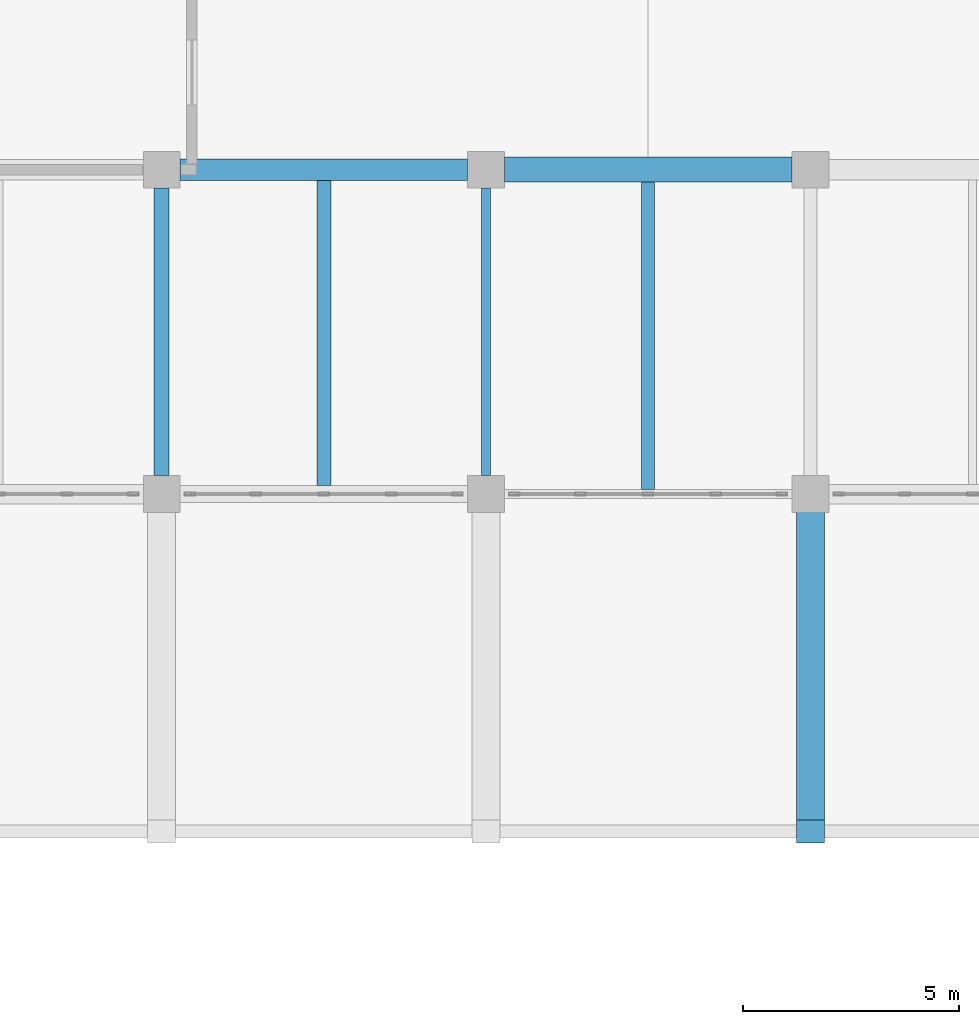
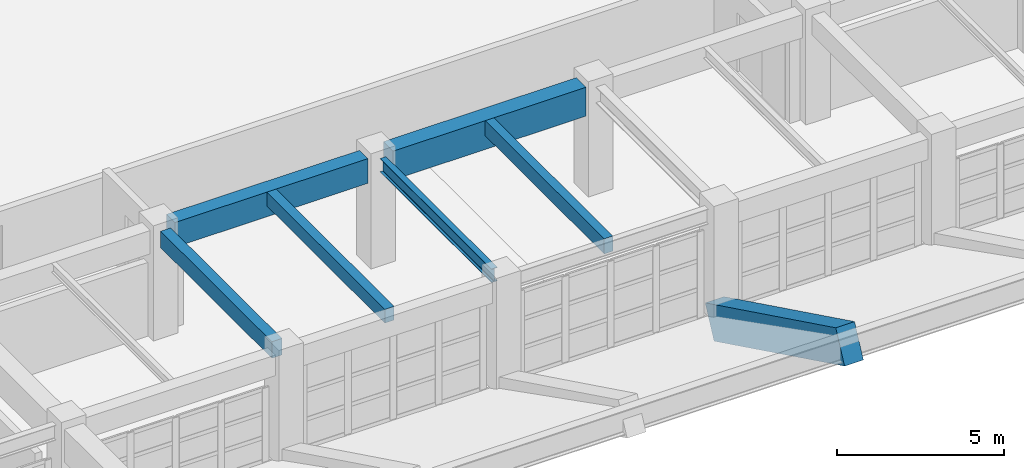
# One storey, part 31 of 132: 7 beams.
"""IFC4 building model written with IfcOpenShell, lengths in metres."""

from ifc_helpers import new_model, si_unit, direction, frame, origin, origin_2d, place, context, subcontext, project, spatial, rectangle, i_section, extrude, material, material_profile, profile_set, type_object, element, save


model = new_model("IFC4")

# Units and contexts
model_context = context("Model", 3, precision=1e-05, world=origin(), true_north=direction((0.0, 1.0)))
body_context = subcontext(model_context, "Body", "Model", "MODEL_VIEW")
ifc_project = project(units=[si_unit("LENGTHUNIT", "METRE"), si_unit("AREAUNIT", "SQUARE_METRE"), si_unit("VOLUMEUNIT", "CUBIC_METRE"), si_unit("PLANEANGLEUNIT", "RADIAN"), si_unit("MASSUNIT", "GRAM", prefix="KILO")], contexts=[model_context])

# Site, building, storey
site_placement = place(None, origin())
site = spatial("IfcSite", under=ifc_project, at=site_placement, CompositionType="ELEMENT")
building_placement = place(site_placement, origin())
building = spatial("IfcBuilding", under=site, at=building_placement, Name="Qasida Concert Hall", CompositionType="ELEMENT")
storey_placement = place(building_placement, frame((0.0, 0.0, 4.800048828125)))
storey = spatial("IfcBuildingStorey", under=building, at=storey_placement, Name="L01", CompositionType="ELEMENT", Elevation=4.800048828125)

# Beams
ifc_material_1 = material(Name="Concrete C40/50", Category="concrete")
ifc_material_profile_1 = material_profile(ifc_material_1, rectangle(XDim=0.35009765625, YDim=0.60009765625, at=origin_2d()), Name="RC 350x600")
ifc_profile_set_1 = profile_set([ifc_material_profile_1], Name="Concrete C40/50")
beam_type_1 = type_object("IfcBeamType", Name="BM-B2", PredefinedType="BEAM", material=ifc_profile_set_1)
beam_1_placement = place(storey_placement, frame((67.5, 22.925048828125, 3.619873046875), z_axis=(0.0, 1.0, 0.0), x_axis=(-1.0, 0.0, 0.0)))
element("IfcBeam", 1, at=beam_1_placement, inside=storey, type_object=beam_type_1, Name="L01 girder 0810", PredefinedType="BEAM", context=body_context, shape_type="SweptSolid", body=[
    extrude(rectangle(XDim=0.35009765625, YDim=0.60009765625, at=origin_2d()), origin(), (0.0, 0.0, 1.0), 6.64990234375),
])
ifc_material_2 = material(Name="Steel S355J2", Category="steel")
ifc_material_profile_2 = material_profile(ifc_material_2, i_section(OverallWidth=0.199951171875, OverallDepth=0.5, WebThickness=0.01025390625, FlangeThickness=0.01611328125, FilletRadius=0.02099609375, at=origin_2d()), Name="IPE 500")
ifc_profile_set_2 = profile_set([ifc_material_profile_2], Name="Steel S355J2")
beam_type_2 = type_object("IfcBeamType", Name="BM-B4", PredefinedType="BEAM", material=ifc_profile_set_2)
beam_2_placement = place(storey_placement, frame((75.0, 22.925048828125, 3.669921875), z_axis=(0.0, 1.0, 0.0), x_axis=(-1.0, 0.0, 0.0)))
element("IfcBeam", 2, at=beam_2_placement, inside=storey, type_object=beam_type_2, Name="L01 girder 0812", PredefinedType="BEAM", context=body_context, shape_type="SweptSolid", body=[
    extrude(i_section(OverallWidth=0.199951171875, OverallDepth=0.5, WebThickness=0.01025390625, FlangeThickness=0.01611328125, FilletRadius=0.02099609375, at=origin_2d()), origin(), (0.0, 0.0, 1.0), 6.64990234375),
])
ifc_material_3 = material(Name="Concrete C50/60", Category="concrete")
ifc_material_profile_3 = material_profile(ifc_material_3, rectangle(XDim=0.64990234375, YDim=1.199951171875, at=origin_2d()), Name="RC 650x1200")
ifc_profile_set_3 = profile_set([ifc_material_profile_3], Name="Concrete C50/60")
beam_type_3 = type_object("IfcBeamType", Name="BM-CG-1200", PredefinedType="USERDEFINED", material=ifc_profile_set_3)
beam_3_placement = place(storey_placement, frame((82.5, 22.5, -0.300048828125), z_axis=(0.0, -0.898079250291, 0.439833673332), x_axis=(1.0, 0.0, 0.0)))
element("IfcBeam", 3, at=beam_3_placement, inside=storey, type_object=beam_type_3, Name="Upward-raked entrance soffit girder CGRK-825", ObjectType="GIRDER", PredefinedType="USERDEFINED", context=body_context, shape_type="SweptSolid", body=[
    extrude(rectangle(XDim=0.64990234375, YDim=1.199951171875, at=origin_2d()), origin(), (0.0, 0.0, 1.0), 8.685302734375),
])
ifc_material_profile_4 = material_profile(ifc_material_1, rectangle(XDim=0.5, YDim=0.89990234375, at=origin_2d()), Name="RC 500x900")
ifc_profile_set_4 = profile_set([ifc_material_profile_4], Name="Concrete C40/50")
beam_type_4 = type_object("IfcBeamType", Name="BM-G1", PredefinedType="USERDEFINED", material=ifc_profile_set_4)
beam_4_placement = place(storey_placement, frame((67.925048828125, 30.0, 3.469970703125), z_axis=(1.0, 0.0, 0.0), x_axis=(0.0, 1.0, 0.0)))
element("IfcBeam", 4, at=beam_4_placement, inside=storey, type_object=beam_type_4, Name="Primary girder 0769", ObjectType="GIRDER", PredefinedType="USERDEFINED", context=body_context, shape_type="SweptSolid", body=[
    extrude(rectangle(XDim=0.5, YDim=0.89990234375, at=origin_2d()), origin(), (0.0, 0.0, 1.0), 6.64990234375),
])
ifc_material_profile_5 = material_profile(ifc_material_3, rectangle(XDim=0.580078125, YDim=1.050048828125, at=origin_2d()), Name="RC 580x1050")
ifc_profile_set_5 = profile_set([ifc_material_profile_5], Name="Concrete C50/60")
beam_type_5 = type_object("IfcBeamType", Name="BM-G8", PredefinedType="USERDEFINED", material=ifc_profile_set_5)
beam_5_placement = place(storey_placement, frame((75.425048828125, 30.0, 3.39501953125), z_axis=(1.0, 0.0, 0.0), x_axis=(0.0, 1.0, 0.0)))
element("IfcBeam", 5, at=beam_5_placement, inside=storey, type_object=beam_type_5, Name="Primary girder 0770", ObjectType="GIRDER", PredefinedType="USERDEFINED", context=body_context, shape_type="SweptSolid", body=[
    extrude(rectangle(XDim=0.580078125, YDim=1.050048828125, at=origin_2d()), origin(), (0.0, 0.0, 1.0), 6.64990234375),
])
ifc_material_profile_6 = material_profile(ifc_material_1, rectangle(XDim=0.300048828125, YDim=0.550048828125, at=origin_2d()), Name="RC 300x550")
ifc_profile_set_6 = profile_set([ifc_material_profile_6], Name="Concrete C40/50")
beam_type_6 = type_object("IfcBeamType", Name="BM-J1", PredefinedType="JOIST", material=ifc_profile_set_6)
beam_6_placement = place(storey_placement, frame((78.75, 22.60498046875, 3.64501953125), z_axis=(0.0, 1.0, 0.0), x_axis=(-1.0, 0.0, 0.0)))
element("IfcBeam", 6, at=beam_6_placement, inside=storey, type_object=beam_type_6, Name="L01 secondary joist 0840", PredefinedType="JOIST", context=body_context, shape_type="SweptSolid", body=[
    extrude(rectangle(XDim=0.300048828125, YDim=0.550048828125, at=origin_2d()), origin(), (0.0, 0.0, 1.0), 7.10498046875),
])
ifc_material_profile_7 = material_profile(ifc_material_1, rectangle(XDim=0.320068359375, YDim=0.5, at=origin_2d()), Name="RC 320x500")
ifc_profile_set_7 = profile_set([ifc_material_profile_7], Name="Concrete C40/50")
beam_type_7 = type_object("IfcBeamType", Name="BM-J7", PredefinedType="JOIST", material=ifc_profile_set_7)
beam_7_placement = place(storey_placement, frame((71.25, 22.699951171875, 3.669921875), z_axis=(0.0, 1.0, 0.0), x_axis=(-1.0, 0.0, 0.0)))
element("IfcBeam", 7, at=beam_7_placement, inside=storey, type_object=beam_type_7, Name="L01 secondary joist 0838", PredefinedType="JOIST", context=body_context, shape_type="SweptSolid", body=[
    extrude(rectangle(XDim=0.320068359375, YDim=0.5, at=origin_2d()), origin(), (0.0, 0.0, 1.0), 7.050048828125),
])

save(model, "model.ifc")
